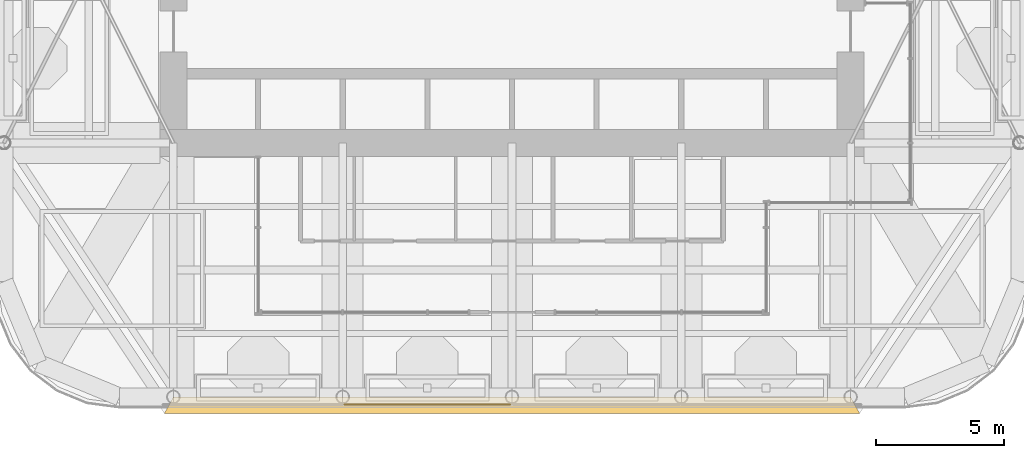
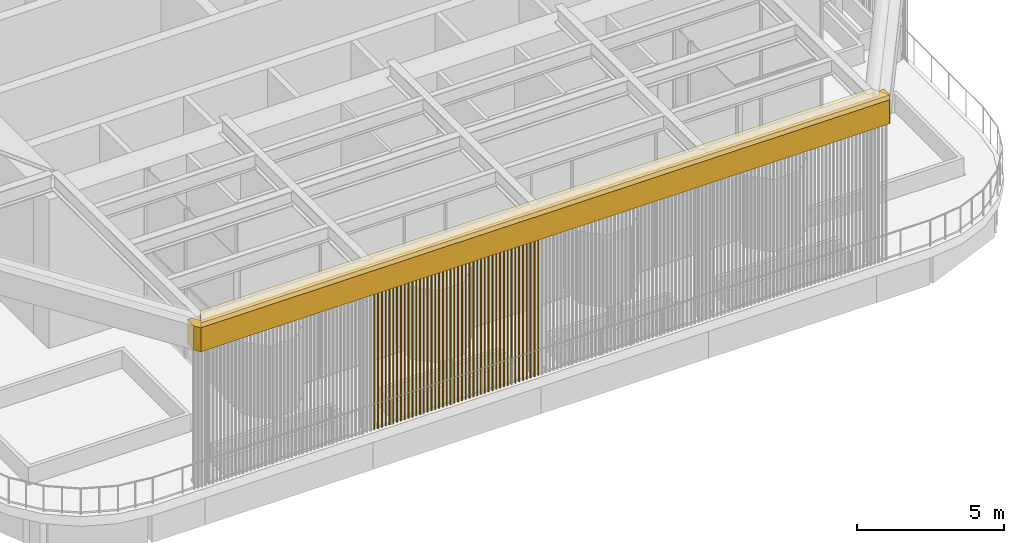
# One storey, part 10 of 22: 3 coverings.
"""IFC4 building model written with IfcOpenShell, lengths in metres."""

from ifc_helpers import new_model, si_unit, direction, frame, origin, place, context, subcontext, project, spatial, polyline, outline, extrude, material, layer, layer_set, type_object, element, save


model = new_model("IFC4")

# Units and contexts
model_context = context("Model", 3, precision=1e-05, world=origin(), true_north=direction((0.0, 1.0)))
body_context = subcontext(model_context, "Body", "Model", "MODEL_VIEW")
ifc_project = project(units=[si_unit("LENGTHUNIT", "METRE"), si_unit("AREAUNIT", "SQUARE_METRE"), si_unit("VOLUMEUNIT", "CUBIC_METRE"), si_unit("PLANEANGLEUNIT", "RADIAN"), si_unit("MASSUNIT", "GRAM", prefix="KILO")], contexts=[model_context])

# Site, building, storey
site_placement = place(None, origin())
site = spatial("IfcSite", under=ifc_project, at=site_placement, CompositionType="ELEMENT")
building_placement = place(site_placement, origin())
building = spatial("IfcBuilding", under=site, at=building_placement, Name="Cobogo Forest Laboratory Tower", CompositionType="ELEMENT")
storey_placement = place(building_placement, frame((0.0, 0.0, 292.800048828125)))
storey = spatial("IfcBuildingStorey", under=building, at=storey_placement, Name="RF", CompositionType="ELEMENT", Elevation=292.800048828125)

# Coverings
ifc_material_1 = material(Name="Terracotta rainscreen panels on steel brackets", Category="masonry")
ifc_layer_1 = layer(ifc_material_1, 0.389892578125)
ifc_layer_set_1 = layer_set([ifc_layer_1], Name="CF1 crown terracotta fascia 390")
covering_type_1 = type_object("IfcCoveringType", Name="CF1 crown terracotta fascia 390", PredefinedType="CLADDING", material=ifc_layer_set_1)
covering_1_placement = place(storey_placement, frame((0.0, 0.0, 5.89990234375)))
element("IfcCovering", 1, at=covering_1_placement, inside=storey, type_object=covering_type_1, Name="Crown fascia S", PredefinedType="CLADDING", context=body_context, shape_type="SweptSolid", body=[
    extrude(outline(polyline([(39.94775390625, 2.64990234375), (40.10009765625, 2.878173828125), (40.10009765625, 3.300048828125), (39.91259765625, 3.300048828125), (39.7392578125, 3.0400390625), (13.060791015625, 3.0400390625), (12.887451171875, 3.300048828125), (12.699951171875, 3.300048828125), (12.699951171875, 2.878173828125), (12.85205078125, 2.64990234375), (39.94775390625, 2.64990234375)])), origin(), (0.0, 0.0, 1.0), 1.00048828125),
])
ifc_material_2 = material(Name="Terracotta coping on steel brackets", Category="masonry")
ifc_layer_2 = layer(ifc_material_2, 0.199951171875)
ifc_layer_set_2 = layer_set([ifc_layer_2], Name="CF2 crown fascia coping 650")
covering_type_2 = type_object("IfcCoveringType", Name="CF2 crown fascia coping 650", PredefinedType="CLADDING", material=ifc_layer_set_2)
covering_2_placement = place(storey_placement, frame((0.0, 0.0, 6.900390625)))
element("IfcCovering", 2, at=covering_2_placement, inside=storey, type_object=covering_type_2, Name="Crown fascia coping S", PredefinedType="CLADDING", context=body_context, shape_type="SweptSolid", body=[
    extrude(outline(polyline([(13.199951171875, 3.300048828125), (12.85205078125, 2.64990234375), (39.94775390625, 2.64990234375), (39.60009765625, 3.300048828125), (13.199951171875, 3.300048828125)])), origin(), (0.0, 0.0, 1.0), 0.199462890625),
])
ifc_material_3 = material(Name="Terracotta baguettes on a galvanised steel top rail", Category="masonry")
covering_type_3 = type_object("IfcCoveringType", Name="CS1 crown terracotta baguette screen", PredefinedType="CLADDING", material=ifc_material_3)
covering_3_placement = place(storey_placement, frame((19.875, 3.0, -0.0009765625)))
element("IfcCovering", 3, at=covering_3_placement, inside=storey, type_object=covering_type_3, Name="Crown screen S2", PredefinedType="CLADDING", context=body_context, shape_type="SweptSolid", body=[
    extrude(outline(polyline([(0.02880859375, 0.011962890625), (0.011962890625, 0.02880859375), (-0.011962890625, 0.02880859375), (-0.02880859375, 0.011962890625), (-0.02880859375, -0.011962890625), (-0.011962890625, -0.02880859375), (0.011962890625, -0.02880859375), (0.02880859375, -0.011962890625), (0.02880859375, 0.011962890625)])), frame((0.0, 0.0, 5.873046875), z_axis=(1.0, 0.0, 0.0), x_axis=(0.0, 1.0, 0.0)), (0.0, 0.0, 1.0), 6.449951171875),
    extrude(outline(polyline([(0.02880859375, 0.011962890625), (0.011962890625, 0.02880859375), (-0.011962890625, 0.02880859375), (-0.02880859375, 0.011962890625), (-0.02880859375, -0.011962890625), (-0.011962890625, -0.02880859375), (0.011962890625, -0.02880859375), (0.02880859375, -0.011962890625), (0.02880859375, 0.011962890625)])), origin(), (0.0, 0.0, 1.0), 5.841796875),
    extrude(outline(polyline([(0.02880859375, 0.011962890625), (0.011962890625, 0.02880859375), (-0.011962890625, 0.02880859375), (-0.02880859375, 0.011962890625), (-0.02880859375, -0.011962890625), (-0.011962890625, -0.02880859375), (0.011962890625, -0.02880859375), (0.02880859375, -0.011962890625), (0.02880859375, 0.011962890625)])), frame((0.14990234375, 0.0, 0.0)), (0.0, 0.0, 1.0), 5.841796875),
    extrude(outline(polyline([(0.02880859375, 0.011962890625), (0.011962890625, 0.02880859375), (-0.011962890625, 0.02880859375), (-0.02880859375, 0.011962890625), (-0.02880859375, -0.011962890625), (-0.011962890625, -0.02880859375), (0.011962890625, -0.02880859375), (0.02880859375, -0.011962890625), (0.02880859375, 0.011962890625)])), frame((0.300048828125, 0.0, 0.0)), (0.0, 0.0, 1.0), 5.841796875),
    extrude(outline(polyline([(0.02880859375, 0.011962890625), (0.011962890625, 0.02880859375), (-0.011962890625, 0.02880859375), (-0.02880859375, 0.011962890625), (-0.02880859375, -0.011962890625), (-0.011962890625, -0.02880859375), (0.011962890625, -0.02880859375), (0.02880859375, -0.011962890625), (0.02880859375, 0.011962890625)])), frame((0.449951171875, 0.0, 0.0)), (0.0, 0.0, 1.0), 5.841796875),
    extrude(outline(polyline([(0.02880859375, 0.011962890625), (0.011962890625, 0.02880859375), (-0.011962890625, 0.02880859375), (-0.02880859375, 0.011962890625), (-0.02880859375, -0.011962890625), (-0.011962890625, -0.02880859375), (0.011962890625, -0.02880859375), (0.02880859375, -0.011962890625), (0.02880859375, 0.011962890625)])), frame((0.60009765625, 0.0, 0.0)), (0.0, 0.0, 1.0), 5.841796875),
    extrude(outline(polyline([(0.02880859375, 0.011962890625), (0.011962890625, 0.02880859375), (-0.011962890625, 0.02880859375), (-0.02880859375, 0.011962890625), (-0.02880859375, -0.011962890625), (-0.011962890625, -0.02880859375), (0.011962890625, -0.02880859375), (0.02880859375, -0.011962890625), (0.02880859375, 0.011962890625)])), frame((0.75, 0.0, 0.0)), (0.0, 0.0, 1.0), 5.841796875),
    extrude(outline(polyline([(0.02880859375, 0.011962890625), (0.011962890625, 0.02880859375), (-0.011962890625, 0.02880859375), (-0.02880859375, 0.011962890625), (-0.02880859375, -0.011962890625), (-0.011962890625, -0.02880859375), (0.011962890625, -0.02880859375), (0.02880859375, -0.011962890625), (0.02880859375, 0.011962890625)])), frame((0.89990234375, 0.0, 0.0)), (0.0, 0.0, 1.0), 5.841796875),
    extrude(outline(polyline([(0.02880859375, 0.011962890625), (0.011962890625, 0.02880859375), (-0.011962890625, 0.02880859375), (-0.02880859375, 0.011962890625), (-0.02880859375, -0.011962890625), (-0.011962890625, -0.02880859375), (0.011962890625, -0.02880859375), (0.02880859375, -0.011962890625), (0.02880859375, 0.011962890625)])), frame((1.050048828125, 0.0, 0.0)), (0.0, 0.0, 1.0), 5.841796875),
    extrude(outline(polyline([(0.02880859375, 0.011962890625), (0.011962890625, 0.02880859375), (-0.011962890625, 0.02880859375), (-0.02880859375, 0.011962890625), (-0.02880859375, -0.011962890625), (-0.011962890625, -0.02880859375), (0.011962890625, -0.02880859375), (0.02880859375, -0.011962890625), (0.02880859375, 0.011962890625)])), frame((1.199951171875, 0.0, 0.0)), (0.0, 0.0, 1.0), 5.841796875),
    extrude(outline(polyline([(0.02880859375, 0.011962890625), (0.011962890625, 0.02880859375), (-0.011962890625, 0.02880859375), (-0.02880859375, 0.011962890625), (-0.02880859375, -0.011962890625), (-0.011962890625, -0.02880859375), (0.011962890625, -0.02880859375), (0.02880859375, -0.011962890625), (0.02880859375, 0.011962890625)])), frame((1.35009765625, 0.0, 0.0)), (0.0, 0.0, 1.0), 5.841796875),
    extrude(outline(polyline([(0.02880859375, 0.011962890625), (0.011962890625, 0.02880859375), (-0.011962890625, 0.02880859375), (-0.02880859375, 0.011962890625), (-0.02880859375, -0.011962890625), (-0.011962890625, -0.02880859375), (0.011962890625, -0.02880859375), (0.02880859375, -0.011962890625), (0.02880859375, 0.011962890625)])), frame((1.5, 0.0, 0.0)), (0.0, 0.0, 1.0), 5.841796875),
    extrude(outline(polyline([(0.02880859375, 0.011962890625), (0.011962890625, 0.02880859375), (-0.011962890625, 0.02880859375), (-0.02880859375, 0.011962890625), (-0.02880859375, -0.011962890625), (-0.011962890625, -0.02880859375), (0.011962890625, -0.02880859375), (0.02880859375, -0.011962890625), (0.02880859375, 0.011962890625)])), frame((1.64990234375, 0.0, 0.0)), (0.0, 0.0, 1.0), 5.841796875),
    extrude(outline(polyline([(0.02880859375, 0.011962890625), (0.011962890625, 0.02880859375), (-0.011962890625, 0.02880859375), (-0.02880859375, 0.011962890625), (-0.02880859375, -0.011962890625), (-0.011962890625, -0.02880859375), (0.011962890625, -0.02880859375), (0.02880859375, -0.011962890625), (0.02880859375, 0.011962890625)])), frame((1.800048828125, 0.0, 0.0)), (0.0, 0.0, 1.0), 5.841796875),
    extrude(outline(polyline([(0.02880859375, 0.011962890625), (0.011962890625, 0.02880859375), (-0.011962890625, 0.02880859375), (-0.02880859375, 0.011962890625), (-0.02880859375, -0.011962890625), (-0.011962890625, -0.02880859375), (0.011962890625, -0.02880859375), (0.02880859375, -0.011962890625), (0.02880859375, 0.011962890625)])), frame((1.949951171875, 0.0, 0.0)), (0.0, 0.0, 1.0), 5.841796875),
    extrude(outline(polyline([(0.02880859375, 0.011962890625), (0.011962890625, 0.02880859375), (-0.011962890625, 0.02880859375), (-0.02880859375, 0.011962890625), (-0.02880859375, -0.011962890625), (-0.011962890625, -0.02880859375), (0.011962890625, -0.02880859375), (0.02880859375, -0.011962890625), (0.02880859375, 0.011962890625)])), frame((2.10009765625, 0.0, 0.0)), (0.0, 0.0, 1.0), 5.841796875),
    extrude(outline(polyline([(0.02880859375, 0.011962890625), (0.011962890625, 0.02880859375), (-0.011962890625, 0.02880859375), (-0.02880859375, 0.011962890625), (-0.02880859375, -0.011962890625), (-0.011962890625, -0.02880859375), (0.011962890625, -0.02880859375), (0.02880859375, -0.011962890625), (0.02880859375, 0.011962890625)])), frame((2.25, 0.0, 0.0)), (0.0, 0.0, 1.0), 5.841796875),
    extrude(outline(polyline([(0.02880859375, 0.011962890625), (0.011962890625, 0.02880859375), (-0.011962890625, 0.02880859375), (-0.02880859375, 0.011962890625), (-0.02880859375, -0.011962890625), (-0.011962890625, -0.02880859375), (0.011962890625, -0.02880859375), (0.02880859375, -0.011962890625), (0.02880859375, 0.011962890625)])), frame((2.39990234375, 0.0, 0.0)), (0.0, 0.0, 1.0), 5.841796875),
    extrude(outline(polyline([(0.02880859375, 0.011962890625), (0.011962890625, 0.02880859375), (-0.011962890625, 0.02880859375), (-0.02880859375, 0.011962890625), (-0.02880859375, -0.011962890625), (-0.011962890625, -0.02880859375), (0.011962890625, -0.02880859375), (0.02880859375, -0.011962890625), (0.02880859375, 0.011962890625)])), frame((2.550048828125, 0.0, 0.0)), (0.0, 0.0, 1.0), 5.841796875),
    extrude(outline(polyline([(0.02880859375, 0.011962890625), (0.011962890625, 0.02880859375), (-0.011962890625, 0.02880859375), (-0.02880859375, 0.011962890625), (-0.02880859375, -0.011962890625), (-0.011962890625, -0.02880859375), (0.011962890625, -0.02880859375), (0.02880859375, -0.011962890625), (0.02880859375, 0.011962890625)])), frame((2.699951171875, 0.0, 0.0)), (0.0, 0.0, 1.0), 5.841796875),
    extrude(outline(polyline([(0.02880859375, 0.011962890625), (0.011962890625, 0.02880859375), (-0.011962890625, 0.02880859375), (-0.02880859375, 0.011962890625), (-0.02880859375, -0.011962890625), (-0.011962890625, -0.02880859375), (0.011962890625, -0.02880859375), (0.02880859375, -0.011962890625), (0.02880859375, 0.011962890625)])), frame((2.85009765625, 0.0, 0.0)), (0.0, 0.0, 1.0), 5.841796875),
    extrude(outline(polyline([(0.02880859375, 0.011962890625), (0.011962890625, 0.02880859375), (-0.011962890625, 0.02880859375), (-0.02880859375, 0.011962890625), (-0.02880859375, -0.011962890625), (-0.011962890625, -0.02880859375), (0.011962890625, -0.02880859375), (0.02880859375, -0.011962890625), (0.02880859375, 0.011962890625)])), frame((3.0, 0.0, 0.0)), (0.0, 0.0, 1.0), 5.841796875),
    extrude(outline(polyline([(0.02880859375, 0.011962890625), (0.011962890625, 0.02880859375), (-0.011962890625, 0.02880859375), (-0.02880859375, 0.011962890625), (-0.02880859375, -0.011962890625), (-0.011962890625, -0.02880859375), (0.011962890625, -0.02880859375), (0.02880859375, -0.011962890625), (0.02880859375, 0.011962890625)])), frame((3.14990234375, 0.0, 0.0)), (0.0, 0.0, 1.0), 5.841796875),
    extrude(outline(polyline([(0.02880859375, 0.011962890625), (0.011962890625, 0.02880859375), (-0.011962890625, 0.02880859375), (-0.02880859375, 0.011962890625), (-0.02880859375, -0.011962890625), (-0.011962890625, -0.02880859375), (0.011962890625, -0.02880859375), (0.02880859375, -0.011962890625), (0.02880859375, 0.011962890625)])), frame((3.300048828125, 0.0, 0.0)), (0.0, 0.0, 1.0), 5.841796875),
    extrude(outline(polyline([(0.02880859375, 0.011962890625), (0.011962890625, 0.02880859375), (-0.011962890625, 0.02880859375), (-0.02880859375, 0.011962890625), (-0.02880859375, -0.011962890625), (-0.011962890625, -0.02880859375), (0.011962890625, -0.02880859375), (0.02880859375, -0.011962890625), (0.02880859375, 0.011962890625)])), frame((3.449951171875, 0.0, 0.0)), (0.0, 0.0, 1.0), 5.841796875),
    extrude(outline(polyline([(0.02880859375, 0.011962890625), (0.011962890625, 0.02880859375), (-0.011962890625, 0.02880859375), (-0.02880859375, 0.011962890625), (-0.02880859375, -0.011962890625), (-0.011962890625, -0.02880859375), (0.011962890625, -0.02880859375), (0.02880859375, -0.011962890625), (0.02880859375, 0.011962890625)])), frame((3.599853515625, 0.0, 0.0)), (0.0, 0.0, 1.0), 5.841796875),
    extrude(outline(polyline([(0.02880859375, 0.011962890625), (0.011962890625, 0.02880859375), (-0.011962890625, 0.02880859375), (-0.02880859375, 0.011962890625), (-0.02880859375, -0.011962890625), (-0.011962890625, -0.02880859375), (0.011962890625, -0.02880859375), (0.02880859375, -0.011962890625), (0.02880859375, 0.011962890625)])), frame((3.75, 0.0, 0.0)), (0.0, 0.0, 1.0), 5.841796875),
    extrude(outline(polyline([(0.02880859375, 0.011962890625), (0.011962890625, 0.02880859375), (-0.011962890625, 0.02880859375), (-0.02880859375, 0.011962890625), (-0.02880859375, -0.011962890625), (-0.011962890625, -0.02880859375), (0.011962890625, -0.02880859375), (0.02880859375, -0.011962890625), (0.02880859375, 0.011962890625)])), frame((3.89990234375, 0.0, 0.0)), (0.0, 0.0, 1.0), 5.841796875),
    extrude(outline(polyline([(0.02880859375, 0.011962890625), (0.011962890625, 0.02880859375), (-0.011962890625, 0.02880859375), (-0.02880859375, 0.011962890625), (-0.02880859375, -0.011962890625), (-0.011962890625, -0.02880859375), (0.011962890625, -0.02880859375), (0.02880859375, -0.011962890625), (0.02880859375, 0.011962890625)])), frame((4.050048828125, 0.0, 0.0)), (0.0, 0.0, 1.0), 5.841796875),
    extrude(outline(polyline([(0.02880859375, 0.011962890625), (0.011962890625, 0.02880859375), (-0.011962890625, 0.02880859375), (-0.02880859375, 0.011962890625), (-0.02880859375, -0.011962890625), (-0.011962890625, -0.02880859375), (0.011962890625, -0.02880859375), (0.02880859375, -0.011962890625), (0.02880859375, 0.011962890625)])), frame((4.199951171875, 0.0, 0.0)), (0.0, 0.0, 1.0), 5.841796875),
    extrude(outline(polyline([(0.02880859375, 0.011962890625), (0.011962890625, 0.02880859375), (-0.011962890625, 0.02880859375), (-0.02880859375, 0.011962890625), (-0.02880859375, -0.011962890625), (-0.011962890625, -0.02880859375), (0.011962890625, -0.02880859375), (0.02880859375, -0.011962890625), (0.02880859375, 0.011962890625)])), frame((4.349853515625, 0.0, 0.0)), (0.0, 0.0, 1.0), 5.841796875),
    extrude(outline(polyline([(0.02880859375, 0.011962890625), (0.011962890625, 0.02880859375), (-0.011962890625, 0.02880859375), (-0.02880859375, 0.011962890625), (-0.02880859375, -0.011962890625), (-0.011962890625, -0.02880859375), (0.011962890625, -0.02880859375), (0.02880859375, -0.011962890625), (0.02880859375, 0.011962890625)])), frame((4.5, 0.0, 0.0)), (0.0, 0.0, 1.0), 5.841796875),
    extrude(outline(polyline([(0.02880859375, 0.011962890625), (0.011962890625, 0.02880859375), (-0.011962890625, 0.02880859375), (-0.02880859375, 0.011962890625), (-0.02880859375, -0.011962890625), (-0.011962890625, -0.02880859375), (0.011962890625, -0.02880859375), (0.02880859375, -0.011962890625), (0.02880859375, 0.011962890625)])), frame((4.64990234375, 0.0, 0.0)), (0.0, 0.0, 1.0), 5.841796875),
    extrude(outline(polyline([(0.02880859375, 0.011962890625), (0.011962890625, 0.02880859375), (-0.011962890625, 0.02880859375), (-0.02880859375, 0.011962890625), (-0.02880859375, -0.011962890625), (-0.011962890625, -0.02880859375), (0.011962890625, -0.02880859375), (0.02880859375, -0.011962890625), (0.02880859375, 0.011962890625)])), frame((4.800048828125, 0.0, 0.0)), (0.0, 0.0, 1.0), 5.841796875),
    extrude(outline(polyline([(0.02880859375, 0.011962890625), (0.011962890625, 0.02880859375), (-0.011962890625, 0.02880859375), (-0.02880859375, 0.011962890625), (-0.02880859375, -0.011962890625), (-0.011962890625, -0.02880859375), (0.011962890625, -0.02880859375), (0.02880859375, -0.011962890625), (0.02880859375, 0.011962890625)])), frame((4.949951171875, 0.0, 0.0)), (0.0, 0.0, 1.0), 5.841796875),
    extrude(outline(polyline([(0.02880859375, 0.011962890625), (0.011962890625, 0.02880859375), (-0.011962890625, 0.02880859375), (-0.02880859375, 0.011962890625), (-0.02880859375, -0.011962890625), (-0.011962890625, -0.02880859375), (0.011962890625, -0.02880859375), (0.02880859375, -0.011962890625), (0.02880859375, 0.011962890625)])), frame((5.099853515625, 0.0, 0.0)), (0.0, 0.0, 1.0), 5.841796875),
    extrude(outline(polyline([(0.02880859375, 0.011962890625), (0.011962890625, 0.02880859375), (-0.011962890625, 0.02880859375), (-0.02880859375, 0.011962890625), (-0.02880859375, -0.011962890625), (-0.011962890625, -0.02880859375), (0.011962890625, -0.02880859375), (0.02880859375, -0.011962890625), (0.02880859375, 0.011962890625)])), frame((5.25, 0.0, 0.0)), (0.0, 0.0, 1.0), 5.841796875),
    extrude(outline(polyline([(0.02880859375, 0.011962890625), (0.011962890625, 0.02880859375), (-0.011962890625, 0.02880859375), (-0.02880859375, 0.011962890625), (-0.02880859375, -0.011962890625), (-0.011962890625, -0.02880859375), (0.011962890625, -0.02880859375), (0.02880859375, -0.011962890625), (0.02880859375, 0.011962890625)])), frame((5.39990234375, 0.0, 0.0)), (0.0, 0.0, 1.0), 5.841796875),
    extrude(outline(polyline([(0.02880859375, 0.011962890625), (0.011962890625, 0.02880859375), (-0.011962890625, 0.02880859375), (-0.02880859375, 0.011962890625), (-0.02880859375, -0.011962890625), (-0.011962890625, -0.02880859375), (0.011962890625, -0.02880859375), (0.02880859375, -0.011962890625), (0.02880859375, 0.011962890625)])), frame((5.550048828125, 0.0, 0.0)), (0.0, 0.0, 1.0), 5.841796875),
    extrude(outline(polyline([(0.02880859375, 0.011962890625), (0.011962890625, 0.02880859375), (-0.011962890625, 0.02880859375), (-0.02880859375, 0.011962890625), (-0.02880859375, -0.011962890625), (-0.011962890625, -0.02880859375), (0.011962890625, -0.02880859375), (0.02880859375, -0.011962890625), (0.02880859375, 0.011962890625)])), frame((5.699951171875, 0.0, 0.0)), (0.0, 0.0, 1.0), 5.841796875),
    extrude(outline(polyline([(0.02880859375, 0.011962890625), (0.011962890625, 0.02880859375), (-0.011962890625, 0.02880859375), (-0.02880859375, 0.011962890625), (-0.02880859375, -0.011962890625), (-0.011962890625, -0.02880859375), (0.011962890625, -0.02880859375), (0.02880859375, -0.011962890625), (0.02880859375, 0.011962890625)])), frame((5.849853515625, 0.0, 0.0)), (0.0, 0.0, 1.0), 5.841796875),
    extrude(outline(polyline([(0.02880859375, 0.011962890625), (0.011962890625, 0.02880859375), (-0.011962890625, 0.02880859375), (-0.02880859375, 0.011962890625), (-0.02880859375, -0.011962890625), (-0.011962890625, -0.02880859375), (0.011962890625, -0.02880859375), (0.02880859375, -0.011962890625), (0.02880859375, 0.011962890625)])), frame((6.0, 0.0, 0.0)), (0.0, 0.0, 1.0), 5.841796875),
    extrude(outline(polyline([(0.02880859375, 0.011962890625), (0.011962890625, 0.02880859375), (-0.011962890625, 0.02880859375), (-0.02880859375, 0.011962890625), (-0.02880859375, -0.011962890625), (-0.011962890625, -0.02880859375), (0.011962890625, -0.02880859375), (0.02880859375, -0.011962890625), (0.02880859375, 0.011962890625)])), frame((6.14990234375, 0.0, 0.0)), (0.0, 0.0, 1.0), 5.841796875),
    extrude(outline(polyline([(0.02880859375, 0.011962890625), (0.011962890625, 0.02880859375), (-0.011962890625, 0.02880859375), (-0.02880859375, 0.011962890625), (-0.02880859375, -0.011962890625), (-0.011962890625, -0.02880859375), (0.011962890625, -0.02880859375), (0.02880859375, -0.011962890625), (0.02880859375, 0.011962890625)])), frame((6.300048828125, 0.0, 0.0)), (0.0, 0.0, 1.0), 5.841796875),
    extrude(outline(polyline([(0.02880859375, 0.011962890625), (0.011962890625, 0.02880859375), (-0.011962890625, 0.02880859375), (-0.02880859375, 0.011962890625), (-0.02880859375, -0.011962890625), (-0.011962890625, -0.02880859375), (0.011962890625, -0.02880859375), (0.02880859375, -0.011962890625), (0.02880859375, 0.011962890625)])), frame((6.449951171875, 0.0, 0.0)), (0.0, 0.0, 1.0), 5.841796875),
])

save(model, "model.ifc")
